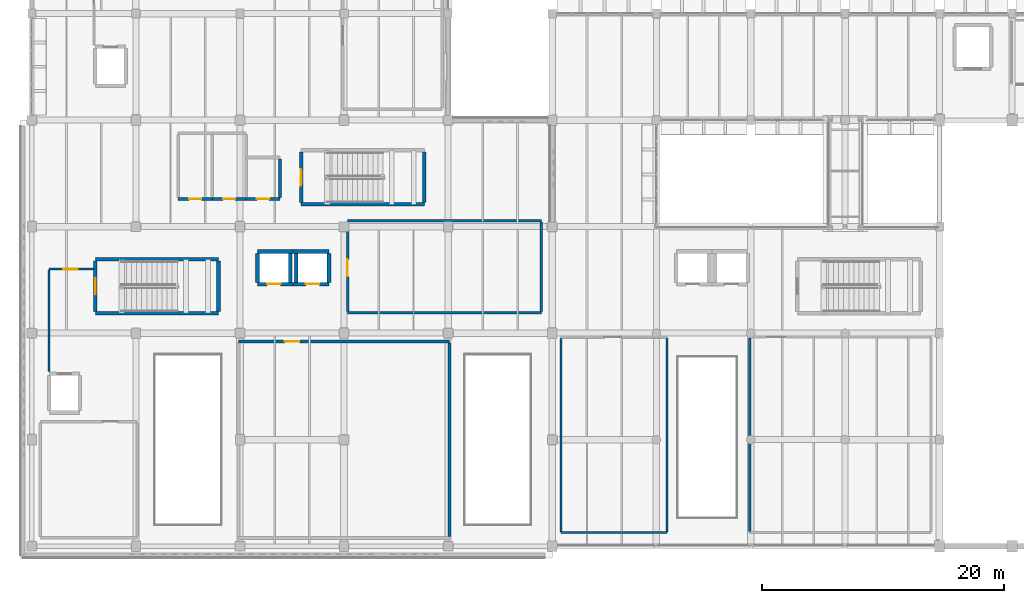
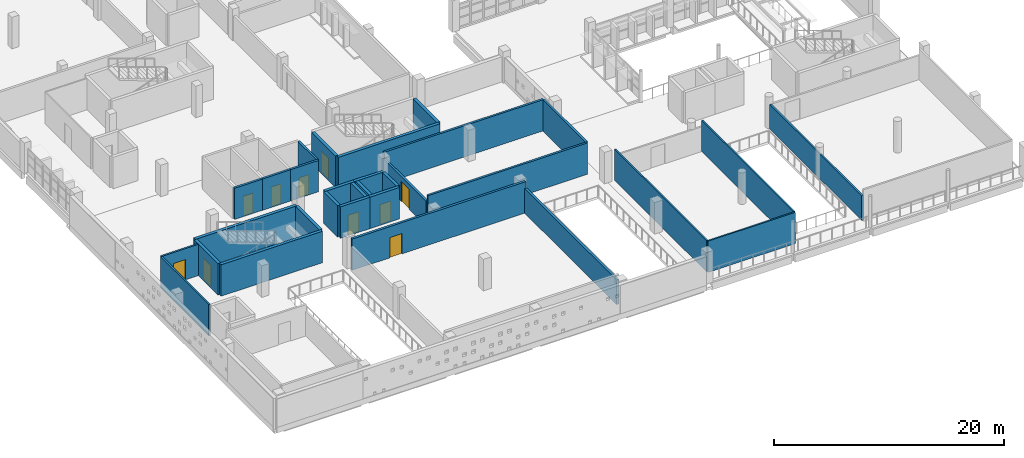
# One storey, part 57 of 75: 31 walls, 10 doors, 10 openings.
"""IFC4 building model written with IfcOpenShell, lengths in metres."""

from ifc_helpers import new_model, si_unit, direction, frame, frame_2d, origin, place, context, subcontext, project, spatial, rectangle, extrude, material, layer, layer_set, type_object, element, fill, save


model = new_model("IFC4")

# Units and contexts
model_context = context("Model", 3, precision=1e-05, world=origin(), true_north=direction((0.0, 1.0)))
body_context = subcontext(model_context, "Body", "Model", "MODEL_VIEW")
ifc_project = project(units=[si_unit("LENGTHUNIT", "METRE"), si_unit("AREAUNIT", "SQUARE_METRE"), si_unit("VOLUMEUNIT", "CUBIC_METRE"), si_unit("PLANEANGLEUNIT", "RADIAN"), si_unit("MASSUNIT", "GRAM", prefix="KILO")], contexts=[model_context])

# Site, building, storey
site_placement = place(None, origin())
site = spatial("IfcSite", under=ifc_project, at=site_placement, CompositionType="ELEMENT")
building_placement = place(site_placement, origin())
building = spatial("IfcBuilding", under=site, at=building_placement, Name="Varnakota Cinema and Media Centre", CompositionType="ELEMENT")
storey_placement = place(building_placement, frame((0.0, 0.0, 8.39990234375)))
storey = spatial("IfcBuildingStorey", under=building, at=storey_placement, Name="L02", CompositionType="ELEMENT", Elevation=8.39990234375)

# Wall
ifc_material_1 = material(Name="Autoclaved aerated concrete blockwork", Category="masonry")
ifc_layer_1 = layer(ifc_material_1, 0.2099609375)
ifc_layer_set_1 = layer_set([ifc_layer_1], Name="Autoclaved aerated concrete blockwork")
wall_type_1 = type_object("IfcWallType", Name="W-ACOUST-210", PredefinedType="PARTITIONING", material=ifc_layer_set_1)
wall_1_placement = place(storey_placement, frame((42.10498046875, 19.294921875, 0.0), z_axis=(0.0, 0.0, 1.0), x_axis=(-1.0, 0.0, 0.0)))
element("IfcWall", 1, at=wall_1_placement, inside=storey, type_object=wall_type_1, Name="L02 RWALL-RM-L02-SEM S wall", PredefinedType="PARTITIONING", context=body_context, shape_type="SweptSolid", body=[
    extrude(rectangle(XDim=16.010009765625, YDim=0.2099609375, at=frame_2d((8.0048828125, 0.0))), origin(), (0.0, 0.0, 1.0), 3.320068359375),
])

# Wall, opening, door
wall_2_placement = place(storey_placement, frame((26.094970703125, 19.39990234375, 0.0), z_axis=(0.0, 0.0, 1.0), x_axis=(0.0, 1.0, 0.0)))
wall_2 = element("IfcWall", 2, at=wall_2_placement, inside=storey, type_object=wall_type_1, Name="L02 RWALL-RM-L02-SEM W wall", PredefinedType="PARTITIONING", context=body_context, shape_type="SweptSolid", body=[
    extrude(rectangle(XDim=7.400146484375, YDim=0.2099609375, at=frame_2d((3.7001953125, 0.0))), origin(), (0.0, 0.0, 1.0), 2.670166015625),
])
opening_1_placement = place(wall_2_placement, frame((2.89990234375, 0.0, 0.0)))
opening_1 = element("IfcOpeningElement", 3, at=opening_1_placement, cuts=wall_2, Name="Opening D-076", PredefinedType="OPENING", context=body_context, shape_type="SweptSolid", body=[
    extrude(rectangle(XDim=1.39990234375, YDim=2.14990234375, at=frame_2d((0.699951171875, 1.074951171875))), frame((0.0, 0.10498046875, 0.0), z_axis=(0.0, -1.0, 0.0), x_axis=(1.0, 0.0, 0.0)), (0.0, 0.0, 1.0), 0.2099609375),
])
ifc_material_2 = material(Name="Thermally broken anodised aluminium AW-6063", Category="aluminium")
door_type_1 = type_object("IfcDoorType", Name="DR-STD-1400x2150", OperationType="DOUBLE_DOOR_SINGLE_SWING", PredefinedType="DOOR", material=ifc_material_2)
door_1_placement = place(opening_1_placement, origin())
door_1 = element("IfcDoor", 4, at=door_1_placement, inside=storey, type_object=door_type_1, Name="L02 door D-076", OperationType="DOUBLE_DOOR_SINGLE_SWING", OverallHeight=2.14990234375, OverallWidth=1.39990234375, PredefinedType="DOOR", context=body_context, shape_type="SweptSolid", body=[
    extrude(rectangle(XDim=1.39990234375, YDim=2.14990234375, at=frame_2d((0.699951171875, 1.074951171875))), frame((0.0, 0.02490234375, 0.0), z_axis=(0.0, -1.0, 0.0), x_axis=(1.0, 0.0, 0.0)), (0.0, 0.0, 1.0), 0.050048828125),
])
fill(opening_1, door_1)

# Walls
wall_3_placement = place(storey_placement, frame((26.094970703125, 26.905029296875, 0.0), z_axis=(0.0, 0.0, 1.0), x_axis=(1.0, 0.0, 0.0)))
element("IfcWall", 5, at=wall_3_placement, inside=storey, type_object=wall_type_1, Name="L02 RWALL-RM-L02-SEM N wall", PredefinedType="PARTITIONING", context=body_context, shape_type="SweptSolid", body=[
    extrude(rectangle(XDim=16.010009765625, YDim=0.2099609375, at=frame_2d((8.0048828125, 0.0))), origin(), (0.0, 0.0, 1.0), 3.320068359375),
])
wall_4_placement = place(storey_placement, frame((42.10498046875, 26.800048828125, 0.0), z_axis=(0.0, 0.0, 1.0), x_axis=(0.0, -1.0, 0.0)))
element("IfcWall", 6, at=wall_4_placement, inside=storey, type_object=wall_type_1, Name="L02 RWALL-RM-L02-SEM E wall", PredefinedType="PARTITIONING", context=body_context, shape_type="SweptSolid", body=[
    extrude(rectangle(XDim=7.400146484375, YDim=0.2099609375, at=frame_2d((3.7001953125, 0.0))), origin(), (0.0, 0.0, 1.0), 3.320068359375),
])

# Wall, opening, door
ifc_material_3 = material(Name="Autoclaved aerated concrete blockwork", Category="masonry")
ifc_layer_2 = layer(ifc_material_3, 0.22998046875)
ifc_layer_set_2 = layer_set([ifc_layer_2], Name="Autoclaved aerated concrete blockwork")
wall_type_2 = type_object("IfcWallType", Name="W-BOX-230", PredefinedType="PARTITIONING", material=ifc_layer_set_2)
wall_5_placement = place(storey_placement, frame((17.0849609375, 16.9150390625, 0.0), z_axis=(0.0, 0.0, 1.0), x_axis=(1.0, 0.0, 0.0)))
wall_5 = element("IfcWall", 7, at=wall_5_placement, inside=storey, type_object=wall_type_2, Name="L02 RWALL-RM-L02-PROJ23 N wall", PredefinedType="PARTITIONING", context=body_context, shape_type="SweptSolid", body=[
    extrude(rectangle(XDim=17.429931640625, YDim=0.22998046875, at=frame_2d((8.71484375, 0.0))), origin(), (0.0, 0.0, 1.0), 3.320068359375),
])
opening_2_placement = place(wall_5_placement, frame((3.81494140625, 0.0, 0.0)))
opening_2 = element("IfcOpeningElement", 8, at=opening_2_placement, cuts=wall_5, Name="Opening D-075", PredefinedType="OPENING", context=body_context, shape_type="SweptSolid", body=[
    extrude(rectangle(XDim=1.199951171875, YDim=2.14990234375, at=frame_2d((0.60009765625, 1.074951171875))), frame((0.0, 0.114990234375, 0.0), z_axis=(0.0, -1.0, 0.0), x_axis=(1.0, 0.0, 0.0)), (0.0, 0.0, 1.0), 0.22998046875),
])
ifc_material_4 = material(Name="Thermally broken anodised aluminium AW-6063", Category="aluminium")
door_type_2 = type_object("IfcDoorType", Name="DR-STD-1200x2150", OperationType="NOTDEFINED", PredefinedType="DOOR", material=ifc_material_4)
door_2_placement = place(opening_2_placement, origin())
door_2 = element("IfcDoor", 9, at=door_2_placement, inside=storey, type_object=door_type_2, Name="L02 door D-075", OperationType="SINGLE_SWING_LEFT", OverallHeight=2.14990234375, OverallWidth=1.199951171875, PredefinedType="DOOR", context=body_context, shape_type="SweptSolid", body=[
    extrude(rectangle(XDim=1.199951171875, YDim=2.14990234375, at=frame_2d((0.60009765625, 1.074951171875))), frame((0.0, 0.02490234375, 0.0), z_axis=(0.0, -1.0, 0.0), x_axis=(1.0, 0.0, 0.0)), (0.0, 0.0, 1.0), 0.050048828125),
])
fill(opening_2, door_2)

# Walls
wall_6_placement = place(storey_placement, frame((34.514892578125, 16.800048828125, 0.0), z_axis=(0.0, 0.0, 1.0), x_axis=(0.0, -1.0, 0.0)))
element("IfcWall", 10, at=wall_6_placement, inside=storey, type_object=wall_type_2, Name="L02 RWALL-RM-L02-PROJ23 E wall", PredefinedType="PARTITIONING", context=body_context, shape_type="SweptSolid", body=[
    extrude(rectangle(XDim=16.0, YDim=0.22998046875, at=frame_2d((8.0, 0.0))), origin(), (0.0, 0.0, 1.0), 2.6201171875),
])
ifc_material_5 = material(Name="Concrete M40", Category="concrete")
ifc_layer_3 = layer(ifc_material_5, 0.300048828125)
ifc_layer_set_3 = layer_set([ifc_layer_3], Name="Concrete M40")
wall_type_3 = type_object("IfcWallType", Name="W-CORE-300", PredefinedType="SHEAR", material=ifc_layer_set_3)
wall_7_placement = place(storey_placement, frame((15.429931640625, 19.25, 0.0), z_axis=(0.0, 0.0, 1.0), x_axis=(-1.0, 0.0, 0.0)))
element("IfcWall", 11, at=wall_7_placement, inside=storey, type_object=wall_type_3, Name="L02 CWALL-ST-01-L02 S wall", PredefinedType="SHEAR", context=body_context, shape_type="SweptSolid", body=[
    extrude(rectangle(XDim=10.179931640625, YDim=0.300048828125, at=frame_2d((5.08984375, 0.0))), origin(), (0.0, 0.0, 1.0), 3.340087890625),
])

# Wall, opening, door
wall_8_placement = place(storey_placement, frame((5.25, 19.39990234375, 0.0), z_axis=(0.0, 0.0, 1.0), x_axis=(0.0, 1.0, 0.0)))
wall_8 = element("IfcWall", 12, at=wall_8_placement, inside=storey, type_object=wall_type_3, Name="L02 CWALL-ST-01-L02 W wall", PredefinedType="SHEAR", context=body_context, shape_type="SweptSolid", body=[
    extrude(rectangle(XDim=4.150146484375, YDim=0.300048828125, at=frame_2d((2.0751953125, 0.0))), origin(), (0.0, 0.0, 1.0), 3.340087890625),
])
opening_3_placement = place(wall_8_placement, frame((1.39990234375, 0.0, 0.0)))
opening_3 = element("IfcOpeningElement", 13, at=opening_3_placement, cuts=wall_8, Name="Opening SD-01", PredefinedType="OPENING", context=body_context, shape_type="SweptSolid", body=[
    extrude(rectangle(XDim=1.35009765625, YDim=2.199951171875, at=frame_2d((0.675048828125, 1.10009765625))), frame((0.0, 0.14990234375, 0.0), z_axis=(0.0, -1.0, 0.0), x_axis=(1.0, 0.0, 0.0)), (0.0, 0.0, 1.0), 0.300048828125),
])
ifc_material_6 = material(Name="Thermally broken anodised aluminium AW-6063", Category="aluminium")
door_type_3 = type_object("IfcDoorType", Name="DR-STAIR-1350x2200", OperationType="NOTDEFINED", PredefinedType="DOOR", material=ifc_material_6)
door_3_placement = place(opening_3_placement, origin())
door_3 = element("IfcDoor", 14, at=door_3_placement, inside=storey, type_object=door_type_3, Name="L02 door SD-01", OperationType="SINGLE_SWING_LEFT", OverallHeight=2.199951171875, OverallWidth=1.35009765625, PredefinedType="DOOR", context=body_context, shape_type="SweptSolid", body=[
    extrude(rectangle(XDim=1.35009765625, YDim=2.199951171875, at=frame_2d((0.675048828125, 1.10009765625))), frame((0.0, 0.02490234375, 0.0), z_axis=(0.0, -1.0, 0.0), x_axis=(1.0, 0.0, 0.0)), (0.0, 0.0, 1.0), 0.050048828125),
])
fill(opening_3, door_3)

# Walls
wall_9_placement = place(storey_placement, frame((5.25, 23.699951171875, 0.0), z_axis=(0.0, 0.0, 1.0), x_axis=(1.0, 0.0, 0.0)))
element("IfcWall", 15, at=wall_9_placement, inside=storey, type_object=wall_type_3, Name="L02 CWALL-ST-01-L02 N wall", PredefinedType="SHEAR", context=body_context, shape_type="SweptSolid", body=[
    extrude(rectangle(XDim=10.179931640625, YDim=0.300048828125, at=frame_2d((5.08984375, 0.0))), origin(), (0.0, 0.0, 1.0), 3.340087890625),
])
wall_10_placement = place(storey_placement, frame((15.429931640625, 23.550048828125, 0.0), z_axis=(0.0, 0.0, 1.0), x_axis=(0.0, -1.0, 0.0)))
element("IfcWall", 16, at=wall_10_placement, inside=storey, type_object=wall_type_3, Name="L02 CWALL-ST-01-L02 E wall", PredefinedType="SHEAR", context=body_context, shape_type="SweptSolid", body=[
    extrude(rectangle(XDim=4.150146484375, YDim=0.300048828125, at=frame_2d((2.0751953125, 0.0))), origin(), (0.0, 0.0, 1.0), 3.340087890625),
])
wall_11_placement = place(storey_placement, frame((32.429931640625, 28.25, 0.0), z_axis=(0.0, 0.0, 1.0), x_axis=(-1.0, 0.0, 0.0)))
element("IfcWall", 17, at=wall_11_placement, inside=storey, type_object=wall_type_3, Name="L02 CWALL-ST-02-L02 S wall", PredefinedType="SHEAR", context=body_context, shape_type="SweptSolid", body=[
    extrude(rectangle(XDim=10.179931640625, YDim=0.300048828125, at=frame_2d((5.08984375, 0.0))), origin(), (0.0, 0.0, 1.0), 3.340087890625),
])

# Wall, opening, door
wall_12_placement = place(storey_placement, frame((22.25, 28.39990234375, 0.0), z_axis=(0.0, 0.0, 1.0), x_axis=(0.0, 1.0, 0.0)))
wall_12 = element("IfcWall", 18, at=wall_12_placement, inside=storey, type_object=wall_type_3, Name="L02 CWALL-ST-02-L02 W wall", PredefinedType="SHEAR", context=body_context, shape_type="SweptSolid", body=[
    extrude(rectangle(XDim=4.150146484375, YDim=0.300048828125, at=frame_2d((2.0751953125, 0.0))), origin(), (0.0, 0.0, 1.0), 3.340087890625),
])
opening_4_placement = place(wall_12_placement, frame((1.39990234375, 0.0, 0.0)))
opening_4 = element("IfcOpeningElement", 19, at=opening_4_placement, cuts=wall_12, Name="Opening SD-02", PredefinedType="OPENING", context=body_context, shape_type="SweptSolid", body=[
    extrude(rectangle(XDim=1.35009765625, YDim=2.199951171875, at=frame_2d((0.675048828125, 1.10009765625))), frame((0.0, 0.14990234375, 0.0), z_axis=(0.0, -1.0, 0.0), x_axis=(1.0, 0.0, 0.0)), (0.0, 0.0, 1.0), 0.300048828125),
])
door_4_placement = place(opening_4_placement, origin())
door_4 = element("IfcDoor", 20, at=door_4_placement, inside=storey, type_object=door_type_3, Name="L02 door SD-02", OperationType="SINGLE_SWING_LEFT", OverallHeight=2.199951171875, OverallWidth=1.35009765625, PredefinedType="DOOR", context=body_context, shape_type="SweptSolid", body=[
    extrude(rectangle(XDim=1.35009765625, YDim=2.199951171875, at=frame_2d((0.675048828125, 1.10009765625))), frame((0.0, 0.02490234375, 0.0), z_axis=(0.0, -1.0, 0.0), x_axis=(1.0, 0.0, 0.0)), (0.0, 0.0, 1.0), 0.050048828125),
])
fill(opening_4, door_4)

# Wall
wall_13_placement = place(storey_placement, frame((32.429931640625, 32.550048828125, 0.0), z_axis=(0.0, 0.0, 1.0), x_axis=(0.0, -1.0, 0.0)))
element("IfcWall", 21, at=wall_13_placement, inside=storey, type_object=wall_type_3, Name="L02 CWALL-ST-02-L02 E wall", PredefinedType="SHEAR", context=body_context, shape_type="SweptSolid", body=[
    extrude(rectangle(XDim=4.150146484375, YDim=0.300048828125, at=frame_2d((2.0751953125, 0.0))), origin(), (0.0, 0.0, 1.0), 3.340087890625),
])

# Wall, opening, door
wall_14_placement = place(storey_placement, frame((21.60009765625, 21.64990234375, 0.0), z_axis=(0.0, 0.0, 1.0), x_axis=(-1.0, 0.0, 0.0)))
wall_14 = element("IfcWall", 22, at=wall_14_placement, inside=storey, type_object=wall_type_3, Name="L02 LSHAFT-LF-03-L02 S wall", PredefinedType="SHEAR", context=body_context, shape_type="SweptSolid", body=[
    extrude(rectangle(XDim=2.9501953125, YDim=0.300048828125, at=frame_2d((1.47509765625, 0.0))), origin(), (0.0, 0.0, 1.0), 3.340087890625),
])
opening_5_placement = place(wall_14_placement, frame((1.050048828125, 0.0, 0.0)))
opening_5 = element("IfcOpeningElement", 23, at=opening_5_placement, cuts=wall_14, Name="Opening LD-03", PredefinedType="OPENING", context=body_context, shape_type="SweptSolid", body=[
    extrude(rectangle(XDim=1.10009765625, YDim=2.10009765625, at=frame_2d((0.550048828125, 1.050048828125))), frame((0.0, 0.14990234375, 0.0), z_axis=(0.0, -1.0, 0.0), x_axis=(1.0, 0.0, 0.0)), (0.0, 0.0, 1.0), 0.300048828125),
])
ifc_material_7 = material(Name="Thermally broken anodised aluminium AW-6063", Category="aluminium")
door_type_4 = type_object("IfcDoorType", Name="DR-LIFT-1100x2100", OperationType="SLIDING_TO_LEFT", PredefinedType="DOOR", material=ifc_material_7)
door_5_placement = place(opening_5_placement, origin())
door_5 = element("IfcDoor", 24, at=door_5_placement, inside=storey, type_object=door_type_4, Name="L02 door LD-03", OperationType="SLIDING_TO_LEFT", OverallHeight=2.10009765625, OverallWidth=1.10009765625, PredefinedType="DOOR", context=body_context, shape_type="SweptSolid", body=[
    extrude(rectangle(XDim=1.10009765625, YDim=2.10009765625, at=frame_2d((0.550048828125, 1.050048828125))), frame((0.0, 0.02490234375, 0.0), z_axis=(0.0, -1.0, 0.0), x_axis=(1.0, 0.0, 0.0)), (0.0, 0.0, 1.0), 0.050048828125),
])
fill(opening_5, door_5)

# Walls
wall_15_placement = place(storey_placement, frame((18.64990234375, 21.800048828125, 0.0), z_axis=(0.0, 0.0, 1.0), x_axis=(0.0, 1.0, 0.0)))
element("IfcWall", 25, at=wall_15_placement, inside=storey, type_object=wall_type_3, Name="L02 LSHAFT-LF-03-L02 W wall", PredefinedType="SHEAR", context=body_context, shape_type="SweptSolid", body=[
    extrude(rectangle(XDim=2.39990234375, YDim=0.300048828125, at=frame_2d((1.199951171875, 0.0))), origin(), (0.0, 0.0, 1.0), 3.340087890625),
])
wall_16_placement = place(storey_placement, frame((18.64990234375, 24.35009765625, 0.0), z_axis=(0.0, 0.0, 1.0), x_axis=(1.0, 0.0, 0.0)))
element("IfcWall", 26, at=wall_16_placement, inside=storey, type_object=wall_type_3, Name="L02 LSHAFT-LF-03-L02 N wall", PredefinedType="SHEAR", context=body_context, shape_type="SweptSolid", body=[
    extrude(rectangle(XDim=2.9501953125, YDim=0.300048828125, at=frame_2d((1.47509765625, 0.0))), origin(), (0.0, 0.0, 1.0), 3.340087890625),
])
wall_17_placement = place(storey_placement, frame((21.35009765625, 24.199951171875, 0.0), z_axis=(0.0, 0.0, 1.0), x_axis=(0.0, -1.0, 0.0)))
element("IfcWall", 27, at=wall_17_placement, inside=storey, type_object=wall_type_3, Name="L02 LSHAFT-LF-03-L02 E wall", PredefinedType="SHEAR", context=body_context, shape_type="SweptSolid", body=[
    extrude(rectangle(XDim=2.39990234375, YDim=0.300048828125, at=frame_2d((1.199951171875, 0.0))), origin(), (0.0, 0.0, 1.0), 3.340087890625),
])

# Wall, opening, door
wall_18_placement = place(storey_placement, frame((24.550048828125, 21.64990234375, 0.0), z_axis=(0.0, 0.0, 1.0), x_axis=(-1.0, 0.0, 0.0)))
wall_18 = element("IfcWall", 28, at=wall_18_placement, inside=storey, type_object=wall_type_3, Name="L02 LSHAFT-LF-04-L02 S wall", PredefinedType="SHEAR", context=body_context, shape_type="SweptSolid", body=[
    extrude(rectangle(XDim=2.949951171875, YDim=0.300048828125, at=frame_2d((1.47509765625, 0.0))), origin(), (0.0, 0.0, 1.0), 3.340087890625),
])
opening_6_placement = place(wall_18_placement, frame((0.800048828125, 0.0, 0.0)))
opening_6 = element("IfcOpeningElement", 29, at=opening_6_placement, cuts=wall_18, Name="Opening LD-04", PredefinedType="OPENING", context=body_context, shape_type="SweptSolid", body=[
    extrude(rectangle(XDim=1.10009765625, YDim=2.10009765625, at=frame_2d((0.550048828125, 1.050048828125))), frame((0.0, 0.14990234375, 0.0), z_axis=(0.0, -1.0, 0.0), x_axis=(1.0, 0.0, 0.0)), (0.0, 0.0, 1.0), 0.300048828125),
])
door_6_placement = place(opening_6_placement, origin())
door_6 = element("IfcDoor", 30, at=door_6_placement, inside=storey, type_object=door_type_4, Name="L02 door LD-04", OperationType="SLIDING_TO_LEFT", OverallHeight=2.10009765625, OverallWidth=1.10009765625, PredefinedType="DOOR", context=body_context, shape_type="SweptSolid", body=[
    extrude(rectangle(XDim=1.10009765625, YDim=2.10009765625, at=frame_2d((0.550048828125, 1.050048828125))), frame((0.0, 0.02490234375, 0.0), z_axis=(0.0, -1.0, 0.0), x_axis=(1.0, 0.0, 0.0)), (0.0, 0.0, 1.0), 0.050048828125),
])
fill(opening_6, door_6)

# Walls
wall_19_placement = place(storey_placement, frame((21.85009765625, 21.800048828125, 0.0), z_axis=(0.0, 0.0, 1.0), x_axis=(0.0, 1.0, 0.0)))
element("IfcWall", 31, at=wall_19_placement, inside=storey, type_object=wall_type_3, Name="L02 LSHAFT-LF-04-L02 W wall", PredefinedType="SHEAR", context=body_context, shape_type="SweptSolid", body=[
    extrude(rectangle(XDim=2.39990234375, YDim=0.300048828125, at=frame_2d((1.199951171875, 0.0))), origin(), (0.0, 0.0, 1.0), 3.340087890625),
])
wall_20_placement = place(storey_placement, frame((21.60009765625, 24.35009765625, 0.0), z_axis=(0.0, 0.0, 1.0), x_axis=(1.0, 0.0, 0.0)))
element("IfcWall", 32, at=wall_20_placement, inside=storey, type_object=wall_type_3, Name="L02 LSHAFT-LF-04-L02 N wall", PredefinedType="SHEAR", context=body_context, shape_type="SweptSolid", body=[
    extrude(rectangle(XDim=2.949951171875, YDim=0.300048828125, at=frame_2d((1.47509765625, 0.0))), origin(), (0.0, 0.0, 1.0), 3.340087890625),
])
wall_21_placement = place(storey_placement, frame((24.550048828125, 24.199951171875, 0.0), z_axis=(0.0, 0.0, 1.0), x_axis=(0.0, -1.0, 0.0)))
element("IfcWall", 33, at=wall_21_placement, inside=storey, type_object=wall_type_3, Name="L02 LSHAFT-LF-04-L02 E wall", PredefinedType="SHEAR", context=body_context, shape_type="SweptSolid", body=[
    extrude(rectangle(XDim=2.39990234375, YDim=0.300048828125, at=frame_2d((1.199951171875, 0.0))), origin(), (0.0, 0.0, 1.0), 3.340087890625),
])
ifc_material_8 = material(Name="Autoclaved aerated concrete blockwork", Category="masonry")
ifc_layer_4 = layer(ifc_material_8, 0.14990234375)
ifc_layer_set_4 = layer_set([ifc_layer_4], Name="Autoclaved aerated concrete blockwork")
wall_type_4 = type_object("IfcWallType", Name="W-PART-150", PredefinedType="PARTITIONING", material=ifc_layer_set_4)
wall_22_placement = place(storey_placement, frame((52.47509765625, 1.125, 0.0), z_axis=(0.0, 0.0, 1.0), x_axis=(-1.0, 0.0, 0.0)))
element("IfcWall", 34, at=wall_22_placement, inside=storey, type_object=wall_type_4, Name="L02 RWALL-RM-L02-LIBW S wall", PredefinedType="PARTITIONING", context=body_context, shape_type="SweptSolid", body=[
    extrude(rectangle(XDim=8.75, YDim=0.14990234375, at=frame_2d((4.375, 0.0))), origin(), (0.0, 0.0, 1.0), 3.320068359375),
])
for number, where, z_axis, x_axis, name in (
    (35, (43.72509765625, 1.199951171875, 0.0), (0.0, 0.0, 1.0), (0.0, 1.0, 0.0), "L02 RWALL-RM-L02-LIBW W wall"),
    (36, (52.47509765625, 17.199951171875, 0.0), (0.0, 0.0, 1.0), (0.0, -1.0, 0.0), "L02 RWALL-RM-L02-LIBW E wall"),
):
    element("IfcWall", number, at=place(storey_placement, frame(where, z_axis=z_axis, x_axis=x_axis)), inside=storey, type_object=wall_type_4, Name=name, PredefinedType="PARTITIONING", context=body_context, shape_type="SweptSolid", body=[
        extrude(rectangle(XDim=16.0, YDim=0.14990234375, at=frame_2d((8.0, 0.0))), origin(), (0.0, 0.0, 1.0), 3.320068359375),
    ])
ifc_material_9 = material(Name="Autoclaved aerated concrete blockwork", Category="masonry")
ifc_layer_5 = layer(ifc_material_9, 0.169921875)
ifc_layer_set_5 = layer_set([ifc_layer_5], Name="Autoclaved aerated concrete blockwork")
wall_type_5 = type_object("IfcWallType", Name="W-PART-170", PredefinedType="PARTITIONING", material=ifc_layer_set_5)
wall_23_placement = place(storey_placement, frame((1.4150390625, 14.449951171875, 0.0), z_axis=(0.0, 0.0, 1.0), x_axis=(0.0, 1.0, 0.0)))
element("IfcWall", 37, at=wall_23_placement, inside=storey, type_object=wall_type_5, Name="L02 RWALL-RM-L02-FF-1 W wall", PredefinedType="PARTITIONING", context=body_context, shape_type="SweptSolid", body=[
    extrude(rectangle(XDim=8.35009765625, YDim=0.169921875, at=frame_2d((4.175048828125, 0.0))), origin(), (0.0, 0.0, 1.0), 3.320068359375),
])

# Wall, opening, door
wall_24_placement = place(storey_placement, frame((1.4150390625, 22.885009765625, 0.0), z_axis=(0.0, 0.0, 1.0), x_axis=(1.0, 0.0, 0.0)))
wall_24 = element("IfcWall", 38, at=wall_24_placement, inside=storey, type_object=wall_type_5, Name="L02 RWALL-RM-L02-FF-1 N wall", PredefinedType="PARTITIONING", context=body_context, shape_type="SweptSolid", body=[
    extrude(rectangle(XDim=3.719970703125, YDim=0.169921875, at=frame_2d((1.85986328125, 0.0))), origin(), (0.0, 0.0, 1.0), 3.320068359375),
])
opening_7_placement = place(wall_24_placement, frame((1.18505859375, 0.0, 0.0)))
opening_7 = element("IfcOpeningElement", 39, at=opening_7_placement, cuts=wall_24, Name="Opening D-004", PredefinedType="OPENING", context=body_context, shape_type="SweptSolid", body=[
    extrude(rectangle(XDim=1.199951171875, YDim=2.14990234375, at=frame_2d((0.60009765625, 1.074951171875))), frame((0.0, 0.0849609375, 0.0), z_axis=(0.0, -1.0, 0.0), x_axis=(1.0, 0.0, 0.0)), (0.0, 0.0, 1.0), 0.169921875),
])
door_7_placement = place(opening_7_placement, origin())
door_7 = element("IfcDoor", 40, at=door_7_placement, inside=storey, type_object=door_type_2, Name="L02 door D-004", OperationType="SINGLE_SWING_RIGHT", OverallHeight=2.14990234375, OverallWidth=1.199951171875, PredefinedType="DOOR", context=body_context, shape_type="SweptSolid", body=[
    extrude(rectangle(XDim=1.199951171875, YDim=2.14990234375, at=frame_2d((0.60009765625, 1.074951171875))), frame((0.0, 0.02490234375, 0.0), z_axis=(0.0, -1.0, 0.0), x_axis=(1.0, 0.0, 0.0)), (0.0, 0.0, 1.0), 0.050048828125),
])
fill(opening_7, door_7)

# Wall
wall_25_placement = place(storey_placement, frame((59.31494140625, 1.199951171875, 0.0), z_axis=(0.0, 0.0, 1.0), x_axis=(0.0, 1.0, 0.0)))
element("IfcWall", 41, at=wall_25_placement, inside=storey, type_object=wall_type_5, Name="L02 RWALL-RM-L02-LIB1 W wall", PredefinedType="PARTITIONING", context=body_context, shape_type="SweptSolid", body=[
    extrude(rectangle(XDim=16.0, YDim=0.169921875, at=frame_2d((8.0, 0.0))), origin(), (0.0, 0.0, 1.0), 2.6201171875),
])

# Wall, opening, door
ifc_material_10 = material(Name="Autoclaved aerated concrete blockwork", Category="masonry")
ifc_layer_6 = layer(ifc_material_10, 0.219970703125)
ifc_layer_set_6 = layer_set([ifc_layer_6], Name="Autoclaved aerated concrete blockwork")
wall_type_6 = type_object("IfcWallType", Name="W-PLUMB-220", PredefinedType="PLUMBINGWALL", material=ifc_layer_set_6)
wall_26_placement = place(storey_placement, frame((14.909912109375, 28.68994140625, 0.0), z_axis=(0.0, 0.0, 1.0), x_axis=(-1.0, 0.0, 0.0)))
wall_26 = element("IfcWall", 42, at=wall_26_placement, inside=storey, type_object=wall_type_6, Name="L02 RWALL-RM-L02-WCM S wall", PredefinedType="PLUMBINGWALL", context=body_context, shape_type="SweptSolid", body=[
    extrude(rectangle(XDim=2.81982421875, YDim=0.219970703125, at=frame_2d((1.409912109375, 0.0))), origin(), (0.0, 0.0, 1.0), 3.320068359375),
])
opening_8_placement = place(wall_26_placement, frame((0.909912109375, 0.0, 0.0)))
opening_8 = element("IfcOpeningElement", 43, at=opening_8_placement, cuts=wall_26, Name="Opening D-023", PredefinedType="OPENING", context=body_context, shape_type="SweptSolid", body=[
    extrude(rectangle(XDim=1.0, YDim=2.10009765625, at=frame_2d((0.5, 1.050048828125))), frame((0.0, 0.10986328125, 0.0), z_axis=(0.0, -1.0, 0.0), x_axis=(1.0, 0.0, 0.0)), (0.0, 0.0, 1.0), 0.219970703125),
])
ifc_material_11 = material(Name="Thermally broken anodised aluminium AW-6063", Category="aluminium")
door_type_5 = type_object("IfcDoorType", Name="DR-STD-1000x2100", OperationType="NOTDEFINED", PredefinedType="DOOR", material=ifc_material_11)
door_8_placement = place(opening_8_placement, origin())
door_8 = element("IfcDoor", 44, at=door_8_placement, inside=storey, type_object=door_type_5, Name="L02 door D-023", OperationType="SINGLE_SWING_LEFT", OverallHeight=2.10009765625, OverallWidth=1.0, PredefinedType="DOOR", context=body_context, shape_type="SweptSolid", body=[
    extrude(rectangle(XDim=1.0, YDim=2.10009765625, at=frame_2d((0.5, 1.050048828125))), frame((0.0, 0.02490234375, 0.0), z_axis=(0.0, -1.0, 0.0), x_axis=(1.0, 0.0, 0.0)), (0.0, 0.0, 1.0), 0.050048828125),
])
fill(opening_8, door_8)

wall_27_placement = place(storey_placement, frame((17.7099609375, 28.68994140625, 0.0), z_axis=(0.0, 0.0, 1.0), x_axis=(-1.0, 0.0, 0.0)))
wall_27 = element("IfcWall", 45, at=wall_27_placement, inside=storey, type_object=wall_type_6, Name="L02 RWALL-RM-L02-WCF S wall", PredefinedType="PLUMBINGWALL", context=body_context, shape_type="SweptSolid", body=[
    extrude(rectangle(XDim=2.820068359375, YDim=0.219970703125, at=frame_2d((1.41015625, 0.0))), origin(), (0.0, 0.0, 1.0), 3.320068359375),
])
opening_9_placement = place(wall_27_placement, frame((0.909912109375, 0.0, 0.0)))
opening_9 = element("IfcOpeningElement", 46, at=opening_9_placement, cuts=wall_27, Name="Opening D-024", PredefinedType="OPENING", context=body_context, shape_type="SweptSolid", body=[
    extrude(rectangle(XDim=1.0, YDim=2.10009765625, at=frame_2d((0.5, 1.050048828125))), frame((0.0, 0.10986328125, 0.0), z_axis=(0.0, -1.0, 0.0), x_axis=(1.0, 0.0, 0.0)), (0.0, 0.0, 1.0), 0.219970703125),
])
door_9_placement = place(opening_9_placement, origin())
door_9 = element("IfcDoor", 47, at=door_9_placement, inside=storey, type_object=door_type_5, Name="L02 door D-024", OperationType="SINGLE_SWING_RIGHT", OverallHeight=2.10009765625, OverallWidth=1.0, PredefinedType="DOOR", context=body_context, shape_type="SweptSolid", body=[
    extrude(rectangle(XDim=1.0, YDim=2.10009765625, at=frame_2d((0.5, 1.050048828125))), frame((0.0, 0.02490234375, 0.0), z_axis=(0.0, -1.0, 0.0), x_axis=(1.0, 0.0, 0.0)), (0.0, 0.0, 1.0), 0.050048828125),
])
fill(opening_9, door_9)

wall_28_placement = place(storey_placement, frame((20.510009765625, 28.68994140625, 0.0), z_axis=(0.0, 0.0, 1.0), x_axis=(-1.0, 0.0, 0.0)))
wall_28 = element("IfcWall", 48, at=wall_28_placement, inside=storey, type_object=wall_type_6, Name="L02 RWALL-RM-L02-WCA S wall", PredefinedType="PLUMBINGWALL", context=body_context, shape_type="SweptSolid", body=[
    extrude(rectangle(XDim=2.820068359375, YDim=0.219970703125, at=frame_2d((1.41015625, 0.0))), origin(), (0.0, 0.0, 1.0), 3.320068359375),
])
opening_10_placement = place(wall_28_placement, frame((0.909912109375, 0.0, 0.0)))
opening_10 = element("IfcOpeningElement", 49, at=opening_10_placement, cuts=wall_28, Name="Opening D-025", PredefinedType="OPENING", context=body_context, shape_type="SweptSolid", body=[
    extrude(rectangle(XDim=1.0, YDim=2.10009765625, at=frame_2d((0.5, 1.050048828125))), frame((0.0, 0.10986328125, 0.0), z_axis=(0.0, -1.0, 0.0), x_axis=(1.0, 0.0, 0.0)), (0.0, 0.0, 1.0), 0.219970703125),
])
door_10_placement = place(opening_10_placement, origin())
door_10 = element("IfcDoor", 50, at=door_10_placement, inside=storey, type_object=door_type_5, Name="L02 door D-025", OperationType="SINGLE_SWING_LEFT", OverallHeight=2.10009765625, OverallWidth=1.0, PredefinedType="DOOR", context=body_context, shape_type="SweptSolid", body=[
    extrude(rectangle(XDim=1.0, YDim=2.10009765625, at=frame_2d((0.5, 1.050048828125))), frame((0.0, 0.02490234375, 0.0), z_axis=(0.0, -1.0, 0.0), x_axis=(1.0, 0.0, 0.0)), (0.0, 0.0, 1.0), 0.050048828125),
])
fill(opening_10, door_10)

# Wall
wall_29_placement = place(storey_placement, frame((20.510009765625, 32.0, 0.0), z_axis=(0.0, 0.0, 1.0), x_axis=(0.0, -1.0, 0.0)))
element("IfcWall", 51, at=wall_29_placement, inside=storey, type_object=wall_type_6, Name="L02 RWALL-RM-L02-WCA E wall", PredefinedType="PLUMBINGWALL", context=body_context, shape_type="SweptSolid", body=[
    extrude(rectangle(XDim=3.199951171875, YDim=0.219970703125, at=frame_2d((1.60009765625, 0.0))), origin(), (0.0, 0.0, 1.0), 3.320068359375),
])

save(model, "model.ifc")
